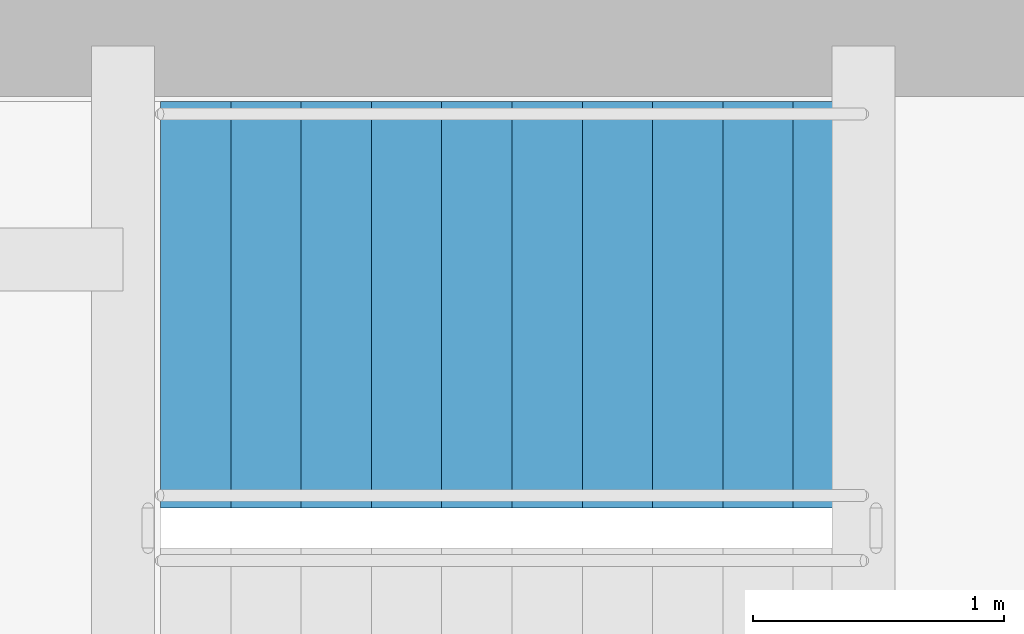
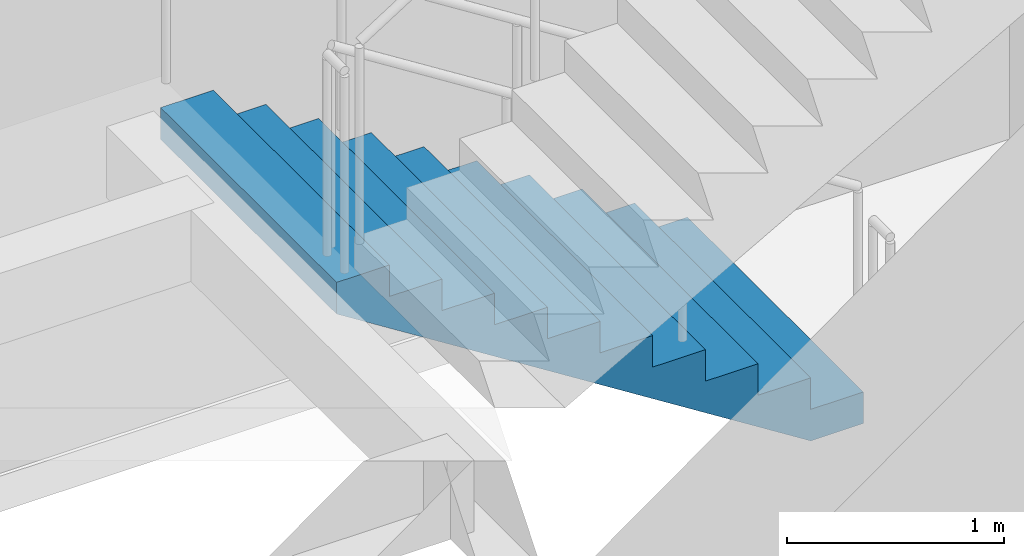
# One storey, part 9 of 13: 1 stair flight, 1 element without a shape of its own.
"""IFC4 building model written with IfcOpenShell, lengths in metres."""

from ifc_helpers import new_model, si_unit, direction, frame, origin, place, context, subcontext, project, spatial, polyline, outline, extrude, material, layer, layer_set, type_object, element, aggregate, save


model = new_model("IFC4")

# Units and contexts
model_context = context("Model", 3, precision=1e-05, world=origin(), true_north=direction((0.0, 1.0)))
body_context = subcontext(model_context, "Body", "Model", "MODEL_VIEW")
ifc_project = project(units=[si_unit("LENGTHUNIT", "METRE"), si_unit("AREAUNIT", "SQUARE_METRE"), si_unit("VOLUMEUNIT", "CUBIC_METRE"), si_unit("PLANEANGLEUNIT", "RADIAN"), si_unit("MASSUNIT", "GRAM", prefix="KILO")], contexts=[model_context])

# Site, building, storey
site_placement = place(None, origin())
site = spatial("IfcSite", under=ifc_project, at=site_placement, CompositionType="ELEMENT")
building_placement = place(site_placement, origin())
building = spatial("IfcBuilding", under=site, at=building_placement, Name="Qingluan Cross Belvedere", CompositionType="ELEMENT")
storey_placement = place(building_placement, frame((0.0, 0.0, 236.39990234375)))
storey = spatial("IfcBuildingStorey", under=building, at=storey_placement, Name="L59", CompositionType="ELEMENT", Elevation=236.39990234375)

# Stair, stair flight
ifc_material_1 = material(Name="Concrete C40", Category="concrete")
stair_type = type_object("IfcStairType", Name="CoreDoglegStair_1620", PredefinedType="HALF_TURN_STAIR", material=ifc_material_1)
stair_placement = place(storey_placement, origin())
stair = element("IfcStair", 1, at=stair_placement, inside=storey, type_object=stair_type, Name="L59 ST3", PredefinedType="HALF_TURN_STAIR")
ifc_material_2 = material(Name="Concrete C40", Category="concrete")
ifc_layer = layer(ifc_material_2, 0.179931640625, Name="StairFlight_RC180")
ifc_layer_set = layer_set([ifc_layer], Name="Concrete C40")
stair_flight_type = type_object("IfcStairFlightType", Name="StairFlight_RC180", PredefinedType="STRAIGHT", material=ifc_layer_set)
stair_flight_placement = place(storey_placement, frame((-6.179931640625, 8.010009765625, 0.0), z_axis=(0.0, 0.0, 1.0), x_axis=(-1.0, 0.0, 0.0)))
stair_flight = element("IfcStairFlight", 2, at=stair_flight_placement, type_object=stair_flight_type, Name="ST3 flight 1", NumberOfRisers=11, NumberOfTreads=10, PredefinedType="STRAIGHT", RiserHeight=0.177272727, TreadLength=0.28, context=body_context, shape_type="SweptSolid", body=[
    extrude(outline(polyline([(0.0, 0.0), (0.0, 0.17724609375), (0.280029296875, 0.17724609375), (0.280029296875, 0.3544921875), (0.56005859375, 0.3544921875), (0.56005859375, 0.53173828125), (0.840087890625, 0.53173828125), (0.840087890625, 0.708984375), (1.1201171875, 0.708984375), (1.1201171875, 0.886474609375), (1.39990234375, 0.886474609375), (1.39990234375, 1.063720703125), (1.679931640625, 1.063720703125), (1.679931640625, 1.240966796875), (1.9599609375, 1.240966796875), (1.9599609375, 1.418212890625), (2.239990234375, 1.418212890625), (2.239990234375, 1.595458984375), (2.52001953125, 1.595458984375), (2.52001953125, 1.772705078125), (2.800048828125, 1.772705078125), (2.800048828125, 1.949951171875), (2.800048828125, 1.59521484375), (0.2802734375, 0.0), (0.0, 0.0)])), frame((0.0, 0.81005859375, 0.0), z_axis=(0.0, -1.0, 0.0), x_axis=(1.0, 0.0, 0.0)), (0.0, 0.0, 1.0), 1.6201171875),
])
aggregate(stair, [stair_flight])

save(model, "model.ifc")
